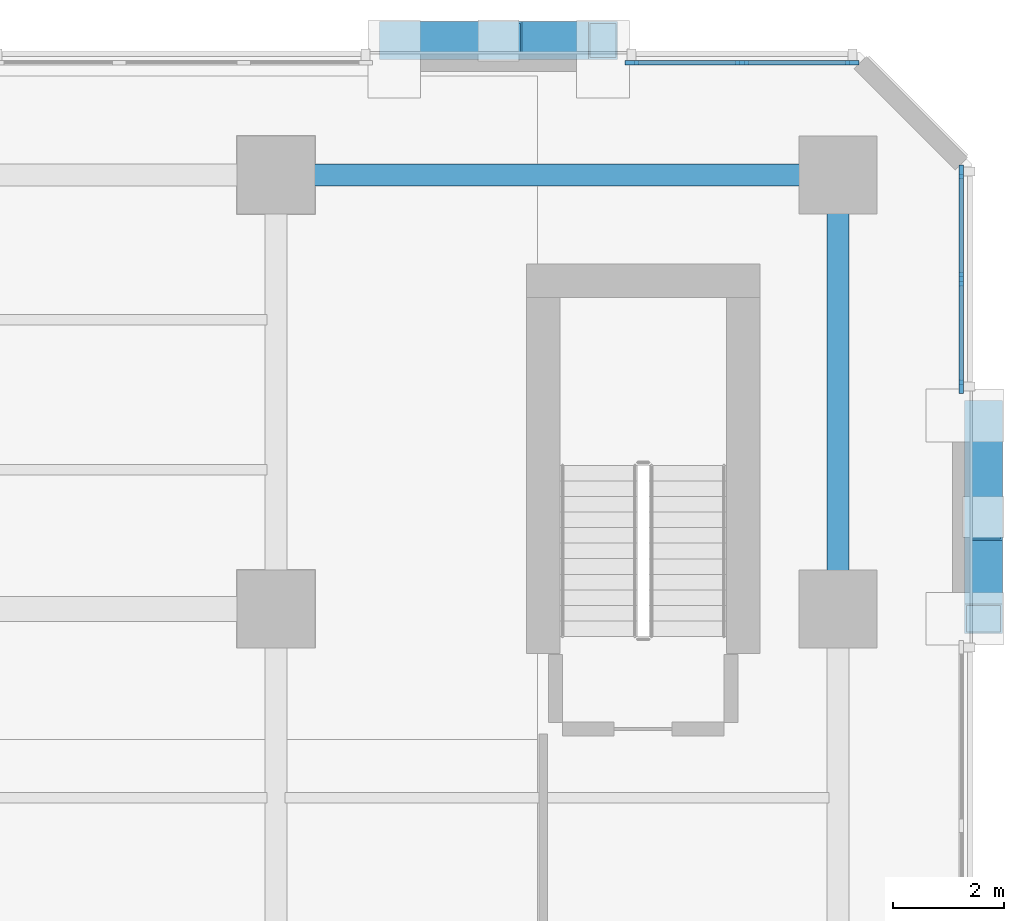
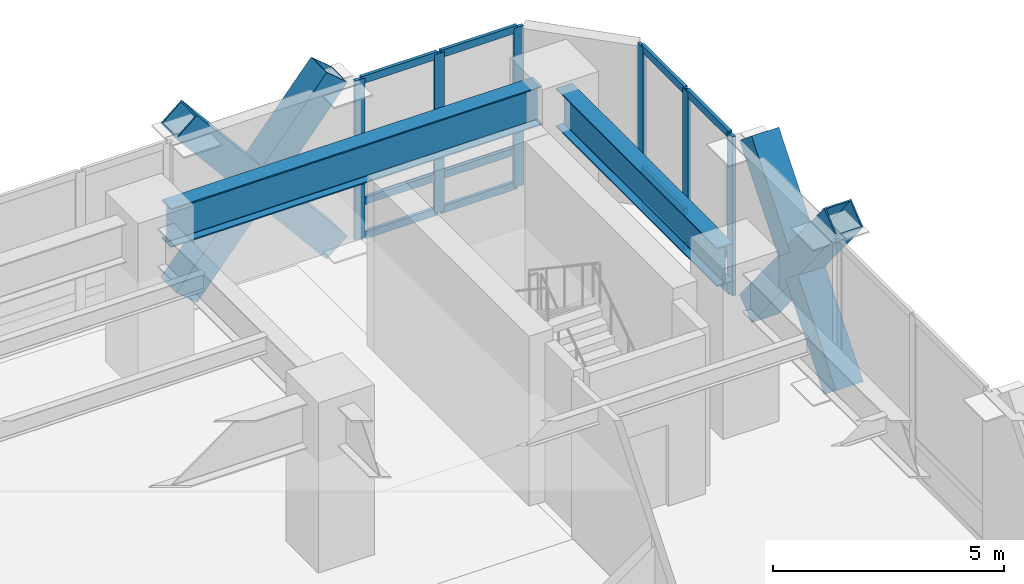
# One storey, part 13 of 30: 24 members, 2 beams, 2 elements without a shape of their own.
"""IFC4 building model written with IfcOpenShell, lengths in metres."""

from ifc_helpers import new_model, si_unit, direction, frame, origin, origin_2d, place, context, subcontext, project, spatial, rectangle, hollow_rectangle, i_section, extrude, material, material_profile, profile_set, type_object, element, aggregate, save


model = new_model("IFC4")

# Units and contexts
model_context = context("Model", 3, precision=1e-05, world=origin(), true_north=direction((0.0, 1.0)))
body_context = subcontext(model_context, "Body", "Model", "MODEL_VIEW")
ifc_project = project(units=[si_unit("LENGTHUNIT", "METRE"), si_unit("AREAUNIT", "SQUARE_METRE"), si_unit("VOLUMEUNIT", "CUBIC_METRE"), si_unit("PLANEANGLEUNIT", "RADIAN"), si_unit("MASSUNIT", "GRAM", prefix="KILO")], contexts=[model_context])

# Site, building, storey
site_placement = place(None, origin())
site = spatial("IfcSite", under=ifc_project, at=site_placement, CompositionType="ELEMENT")
building_placement = place(site_placement, origin())
building = spatial("IfcBuilding", under=site, at=building_placement, Name="Quenlor Broadcast Tower", CompositionType="ELEMENT")
storey_placement = place(building_placement, frame((0.0, 0.0, 9.5)))
storey = spatial("IfcBuildingStorey", under=building, at=storey_placement, Name="L02", CompositionType="ELEMENT", Elevation=9.5)

# Curtain wall, members
ifc_material_1 = material(Name="Architectural Terracotta and Low-E Glazing", Category="masonry")
curtain_wall_type = type_object("IfcCurtainWallType", Name="Station Concourse and Crown Terracotta Curtain Wall", PredefinedType="NOTDEFINED", material=ifc_material_1)
curtain_wall_1_placement = place(storey_placement, origin())
curtain_wall_1 = element("IfcCurtainWall", 1, at=curtain_wall_1_placement, inside=storey, type_object=curtain_wall_type, Name="L02 Curtain Wall CW6 (L02-N-FULL-G5)", PredefinedType="NOTDEFINED")
ifc_material_2 = material(Name="Aluminium 6063-T6", Category="aluminium")
ifc_material_profile_1 = material_profile(ifc_material_2, rectangle(XDim=0.08203125, YDim=0.239990234375, at=origin_2d()))
ifc_profile_set_1 = profile_set([ifc_material_profile_1], Name="Aluminium 6063-T6 MULL82x240")
member_type_1 = type_object("IfcMemberType", Name="CW6 Aluminium Mullion MULL_CW6", PredefinedType="MULLION", material=ifc_profile_set_1)
member_1_placement = place(storey_placement, frame((30.890380859375, 24.820068359375, 0.0), z_axis=(0.0, 0.0, 1.0), x_axis=(0.0, 1.0, 0.0)))
member_1 = element("IfcMember", 2, at=member_1_placement, type_object=member_type_1, Name="CW6 mullion 1", PredefinedType="MULLION", context=body_context, shape_type="SweptSolid", body=[
    extrude(rectangle(XDim=0.08203125, YDim=0.239990234375, at=origin_2d()), origin(), (0.0, 0.0, 1.0), 4.199951171875),
])
member_2_placement = place(storey_placement, frame((32.874755859375, 24.820068359375, 0.0), z_axis=(0.0, 0.0, 1.0), x_axis=(0.0, 1.0, 0.0)))
member_2 = element("IfcMember", 3, at=member_2_placement, type_object=member_type_1, Name="CW6 mullion 2", PredefinedType="MULLION", context=body_context, shape_type="SweptSolid", body=[
    extrude(rectangle(XDim=0.08203125, YDim=0.239990234375, at=origin_2d()), origin(), (0.0, 0.0, 1.0), 4.199951171875),
])
member_3_placement = place(storey_placement, frame((34.85888671875, 24.820068359375, 0.0), z_axis=(0.0, 0.0, 1.0), x_axis=(0.0, 1.0, 0.0)))
member_3 = element("IfcMember", 4, at=member_3_placement, type_object=member_type_1, Name="CW6 mullion 3", PredefinedType="MULLION", context=body_context, shape_type="SweptSolid", body=[
    extrude(rectangle(XDim=0.08203125, YDim=0.239990234375, at=origin_2d()), origin(), (0.0, 0.0, 1.0), 4.199951171875),
])

curtain_wall_2_placement = place(storey_placement, origin())
curtain_wall_2 = element("IfcCurtainWall", 5, at=curtain_wall_2_placement, inside=storey, type_object=curtain_wall_type, Name="L02 Curtain Wall CW6 (L02-E-FULL-G1)", PredefinedType="NOTDEFINED")
member_4_placement = place(storey_placement, frame((36.820068359375, 22.85888671875, 0.0), z_axis=(0.0, 0.0, 1.0), x_axis=(1.0, 0.0, 0.0)))
member_4 = element("IfcMember", 6, at=member_4_placement, type_object=member_type_1, Name="CW6 mullion 1", PredefinedType="MULLION", context=body_context, shape_type="SweptSolid", body=[
    extrude(rectangle(XDim=0.08203125, YDim=0.239990234375, at=origin_2d()), origin(), (0.0, 0.0, 1.0), 4.199951171875),
])
member_5_placement = place(storey_placement, frame((36.820068359375, 20.92626953125, 0.0), z_axis=(0.0, 0.0, 1.0), x_axis=(1.0, 0.0, 0.0)))
member_5 = element("IfcMember", 7, at=member_5_placement, type_object=member_type_1, Name="CW6 mullion 2", PredefinedType="MULLION", context=body_context, shape_type="SweptSolid", body=[
    extrude(rectangle(XDim=0.08203125, YDim=0.239990234375, at=origin_2d()), origin(), (0.0, 0.0, 1.0), 4.199951171875),
])
member_6_placement = place(storey_placement, frame((36.820068359375, 18.99365234375, 0.0), z_axis=(0.0, 0.0, 1.0), x_axis=(1.0, 0.0, 0.0)))
member_6 = element("IfcMember", 8, at=member_6_placement, type_object=member_type_1, Name="CW6 mullion 3", PredefinedType="MULLION", context=body_context, shape_type="SweptSolid", body=[
    extrude(rectangle(XDim=0.08203125, YDim=0.239990234375, at=origin_2d()), origin(), (0.0, 0.0, 1.0), 4.199951171875),
])

# Member
ifc_material_3 = material(Name="Aluminium 6063-T6", Category="aluminium")
ifc_material_profile_2 = material_profile(ifc_material_3, rectangle(XDim=0.08203125, YDim=0.195068359375, at=origin_2d()))
ifc_profile_set_2 = profile_set([ifc_material_profile_2], Name="Aluminium 6063-T6 TRAN82x195")
member_type_2 = type_object("IfcMemberType", Name="CW6 Aluminium Transom TRAN_CW6", PredefinedType="USERDEFINED", material=ifc_profile_set_2)
member_7_placement = place(storey_placement, frame((30.931396484375, 24.820068359375, 0.041015625), z_axis=(1.0, 0.0, 0.0), x_axis=(0.0, 1.0, 0.0)))
member_7 = element("IfcMember", 9, at=member_7_placement, type_object=member_type_2, Name="CW6 transom 1.1", ObjectType="TRANSOM", PredefinedType="USERDEFINED", context=body_context, shape_type="SweptSolid", body=[
    extrude(rectangle(XDim=0.08203125, YDim=0.195068359375, at=origin_2d()), origin(), (0.0, 0.0, 1.0), 1.90234375),
])

member_8_placement = place(storey_placement, frame((30.931396484375, 24.820068359375, 0.949951171875), z_axis=(1.0, 0.0, 0.0), x_axis=(0.0, 1.0, 0.0)))
member_8 = element("IfcMember", 10, at=member_8_placement, type_object=member_type_2, Name="CW6 transom 1.2", ObjectType="TRANSOM", PredefinedType="USERDEFINED", context=body_context, shape_type="SweptSolid", body=[
    extrude(rectangle(XDim=0.08203125, YDim=0.195068359375, at=origin_2d()), origin(), (0.0, 0.0, 1.0), 1.90234375),
])

member_9_placement = place(storey_placement, frame((30.931396484375, 24.820068359375, 4.158935546875), z_axis=(1.0, 0.0, 0.0), x_axis=(0.0, 1.0, 0.0)))
member_9 = element("IfcMember", 11, at=member_9_placement, type_object=member_type_2, Name="CW6 transom 1.3", ObjectType="TRANSOM", PredefinedType="USERDEFINED", context=body_context, shape_type="SweptSolid", body=[
    extrude(rectangle(XDim=0.08203125, YDim=0.195068359375, at=origin_2d()), origin(), (0.0, 0.0, 1.0), 1.90234375),
])

member_10_placement = place(storey_placement, frame((32.915771484375, 24.820068359375, 0.041015625), z_axis=(1.0, 0.0, 0.0), x_axis=(0.0, 1.0, 0.0)))
member_10 = element("IfcMember", 12, at=member_10_placement, type_object=member_type_2, Name="CW6 transom 2.1", ObjectType="TRANSOM", PredefinedType="USERDEFINED", context=body_context, shape_type="SweptSolid", body=[
    extrude(rectangle(XDim=0.08203125, YDim=0.195068359375, at=origin_2d()), origin(), (0.0, 0.0, 1.0), 1.90234375),
])

member_11_placement = place(storey_placement, frame((32.915771484375, 24.820068359375, 0.949951171875), z_axis=(1.0, 0.0, 0.0), x_axis=(0.0, 1.0, 0.0)))
member_11 = element("IfcMember", 13, at=member_11_placement, type_object=member_type_2, Name="CW6 transom 2.2", ObjectType="TRANSOM", PredefinedType="USERDEFINED", context=body_context, shape_type="SweptSolid", body=[
    extrude(rectangle(XDim=0.08203125, YDim=0.195068359375, at=origin_2d()), origin(), (0.0, 0.0, 1.0), 1.90234375),
])

member_12_placement = place(storey_placement, frame((32.915771484375, 24.820068359375, 4.158935546875), z_axis=(1.0, 0.0, 0.0), x_axis=(0.0, 1.0, 0.0)))
member_12 = element("IfcMember", 14, at=member_12_placement, type_object=member_type_2, Name="CW6 transom 2.3", ObjectType="TRANSOM", PredefinedType="USERDEFINED", context=body_context, shape_type="SweptSolid", body=[
    extrude(rectangle(XDim=0.08203125, YDim=0.195068359375, at=origin_2d()), origin(), (0.0, 0.0, 1.0), 1.90234375),
])

aggregate(curtain_wall_1, [member_1, member_2, member_3, member_7, member_8, member_9, member_10, member_11, member_12])

member_13_placement = place(storey_placement, frame((36.820068359375, 22.818115234375, 0.041015625), z_axis=(0.0, -1.0, 0.0), x_axis=(1.0, 0.0, 0.0)))
member_13 = element("IfcMember", 15, at=member_13_placement, type_object=member_type_2, Name="CW6 transom 1.1", ObjectType="TRANSOM", PredefinedType="USERDEFINED", context=body_context, shape_type="SweptSolid", body=[
    extrude(rectangle(XDim=0.08203125, YDim=0.195068359375, at=origin_2d()), origin(), (0.0, 0.0, 1.0), 1.850830078125),
])

member_14_placement = place(storey_placement, frame((36.820068359375, 22.818115234375, 0.949951171875), z_axis=(0.0, -1.0, 0.0), x_axis=(1.0, 0.0, 0.0)))
member_14 = element("IfcMember", 16, at=member_14_placement, type_object=member_type_2, Name="CW6 transom 1.2", ObjectType="TRANSOM", PredefinedType="USERDEFINED", context=body_context, shape_type="SweptSolid", body=[
    extrude(rectangle(XDim=0.08203125, YDim=0.195068359375, at=origin_2d()), origin(), (0.0, 0.0, 1.0), 1.850830078125),
])

member_15_placement = place(storey_placement, frame((36.820068359375, 22.818115234375, 4.158935546875), z_axis=(0.0, -1.0, 0.0), x_axis=(1.0, 0.0, 0.0)))
member_15 = element("IfcMember", 17, at=member_15_placement, type_object=member_type_2, Name="CW6 transom 1.3", ObjectType="TRANSOM", PredefinedType="USERDEFINED", context=body_context, shape_type="SweptSolid", body=[
    extrude(rectangle(XDim=0.08203125, YDim=0.195068359375, at=origin_2d()), origin(), (0.0, 0.0, 1.0), 1.850830078125),
])

member_16_placement = place(storey_placement, frame((36.820068359375, 20.88525390625, 0.041015625), z_axis=(0.0, -1.0, 0.0), x_axis=(1.0, 0.0, 0.0)))
member_16 = element("IfcMember", 18, at=member_16_placement, type_object=member_type_2, Name="CW6 transom 2.1", ObjectType="TRANSOM", PredefinedType="USERDEFINED", context=body_context, shape_type="SweptSolid", body=[
    extrude(rectangle(XDim=0.08203125, YDim=0.195068359375, at=origin_2d()), origin(), (0.0, 0.0, 1.0), 1.8505859375),
])

member_17_placement = place(storey_placement, frame((36.820068359375, 20.88525390625, 0.949951171875), z_axis=(0.0, -1.0, 0.0), x_axis=(1.0, 0.0, 0.0)))
member_17 = element("IfcMember", 19, at=member_17_placement, type_object=member_type_2, Name="CW6 transom 2.2", ObjectType="TRANSOM", PredefinedType="USERDEFINED", context=body_context, shape_type="SweptSolid", body=[
    extrude(rectangle(XDim=0.08203125, YDim=0.195068359375, at=origin_2d()), origin(), (0.0, 0.0, 1.0), 1.8505859375),
])

member_18_placement = place(storey_placement, frame((36.820068359375, 20.88525390625, 4.158935546875), z_axis=(0.0, -1.0, 0.0), x_axis=(1.0, 0.0, 0.0)))
member_18 = element("IfcMember", 20, at=member_18_placement, type_object=member_type_2, Name="CW6 transom 2.3", ObjectType="TRANSOM", PredefinedType="USERDEFINED", context=body_context, shape_type="SweptSolid", body=[
    extrude(rectangle(XDim=0.08203125, YDim=0.195068359375, at=origin_2d()), origin(), (0.0, 0.0, 1.0), 1.8505859375),
])

aggregate(curtain_wall_2, [member_4, member_5, member_6, member_13, member_14, member_15, member_16, member_17, member_18])

# Members
ifc_material_4 = material(Name="Steel S355", Category="steel")
ifc_material_profile_3 = material_profile(ifc_material_4, hollow_rectangle(XDim=0.679931640625, YDim=0.679931640625, WallThickness=0.034912109375, at=origin_2d()))
ifc_profile_set_3 = profile_set([ifc_material_profile_3], Name="Steel S355 RHS680x680x35")
member_type_3 = type_object("IfcMemberType", Name="Perimeter Diagonal Lattice Brace Z1 Steel S355 RHS680x35", PredefinedType="BRACE", material=ifc_profile_set_3)
member_19_placement = place(storey_placement, frame((26.622802734375, 25.215087890625, -0.1201171875), z_axis=(0.640626831312, 0.0, 0.767852370578), x_axis=(0.0, 1.0, 0.0)))
element("IfcMember", 21, at=member_19_placement, inside=storey, type_object=member_type_3, Name="L02 Podium Diamond Lattice N-P6XA", PredefinedType="BRACE", context=body_context, shape_type="SweptSolid", body=[
    extrude(hollow_rectangle(XDim=0.679931640625, YDim=0.679931640625, WallThickness=0.034912109375, at=origin_2d()), origin(), (0.0, 0.0, 1.0), 5.860595703125),
])
member_20_placement = place(storey_placement, frame((30.377197265625, 25.215087890625, -0.1201171875), z_axis=(-0.640614349103, 0.0, 0.767862784437), x_axis=(0.0, -1.0, 0.0)))
element("IfcMember", 22, at=member_20_placement, inside=storey, type_object=member_type_3, Name="L02 Podium Diamond Lattice N-P6XB1", PredefinedType="BRACE", context=body_context, shape_type="SweptSolid", body=[
    extrude(hollow_rectangle(XDim=0.679931640625, YDim=0.679931640625, WallThickness=0.034912109375, at=origin_2d()), origin(), (0.0, 0.0, 1.0), 2.680419921875),
])
member_21_placement = place(storey_placement, frame((28.33984375, 25.215087890625, 2.322021484375), z_axis=(-0.640659157162, 0.0, 0.767825399648), x_axis=(0.0, -1.0, 0.0)))
element("IfcMember", 23, at=member_21_placement, inside=storey, type_object=member_type_3, Name="L02 Podium Diamond Lattice N-P6XB2", PredefinedType="BRACE", context=body_context, shape_type="SweptSolid", body=[
    extrude(hollow_rectangle(XDim=0.679931640625, YDim=0.679931640625, WallThickness=0.034912109375, at=origin_2d()), origin(), (0.0, 0.0, 1.0), 2.68017578125),
])
member_22_placement = place(storey_placement, frame((37.215087890625, 18.477783203125, -0.1201171875), z_axis=(0.0, -0.630516526394, 0.776175824117), x_axis=(1.0, 0.0, 0.0)))
element("IfcMember", 24, at=member_22_placement, inside=storey, type_object=member_type_3, Name="L02 Podium Diamond Lattice E-P1XA", PredefinedType="BRACE", context=body_context, shape_type="SweptSolid", body=[
    extrude(hollow_rectangle(XDim=0.679931640625, YDim=0.679931640625, WallThickness=0.034912109375, at=origin_2d()), origin(), (0.0, 0.0, 1.0), 5.797607421875),
])
for number, where, z_axis, x_axis, name in (
    (25, (37.215087890625, 14.822265625, -0.1201171875), (0.0, 0.630488529208, 0.776198566436), (-1.0, 0.0, 0.0), "L02 Podium Diamond Lattice E-P1XB1"),
    (26, (37.215087890625, 16.8076171875, 2.323974609375), (0.0, 0.630533634598, 0.776161926173), (-1.0, 0.0, 0.0), "L02 Podium Diamond Lattice E-P1XB2"),
):
    element("IfcMember", number, at=place(storey_placement, frame(where, z_axis=z_axis, x_axis=x_axis)), inside=storey, type_object=member_type_3, Name=name, PredefinedType="BRACE", context=body_context, shape_type="SweptSolid", body=[
        extrude(hollow_rectangle(XDim=0.679931640625, YDim=0.679931640625, WallThickness=0.034912109375, at=origin_2d()), origin(), (0.0, 0.0, 1.0), 2.64892578125),
    ])

# Beams
ifc_material_5 = material(Name="Steel S355", Category="steel")
ifc_material_profile_4 = material_profile(ifc_material_5, i_section(OverallWidth=0.39990234375, OverallDepth=1.02392578125, WebThickness=0.01611328125, FlangeThickness=0.031982421875, FilletRadius=0.01611328125, at=origin_2d()))
ifc_profile_set_4 = profile_set([ifc_material_profile_4], Name="Steel S355 1000WB322")
beam_type = type_object("IfcBeamType", Name="Podium Concourse Girder Steel S355 1000WB322", PredefinedType="BEAM", material=ifc_profile_set_4)
beam_1_placement = place(storey_placement, frame((24.919921875, 22.800048828125, 3.68798828125), z_axis=(1.0, 0.0, 0.0), x_axis=(0.0, 1.0, 0.0)))
element("IfcBeam", 27, at=beam_1_placement, inside=storey, type_object=beam_type, Name="L02 Podium Girder 33", PredefinedType="BEAM", context=body_context, shape_type="SweptSolid", body=[
    extrude(i_section(OverallWidth=0.39990234375, OverallDepth=1.02392578125, WebThickness=0.01611328125, FlangeThickness=0.031982421875, FilletRadius=0.01611328125, at=origin_2d()), origin(), (0.0, 0.0, 1.0), 9.260009765625),
])
beam_2_placement = place(storey_placement, frame((34.60009765625, 15.419921875, 3.68798828125), z_axis=(0.0, 1.0, 0.0), x_axis=(-1.0, 0.0, 0.0)))
element("IfcBeam", 28, at=beam_2_placement, inside=storey, type_object=beam_type, Name="L02 Podium Girder 53", PredefinedType="BEAM", context=body_context, shape_type="SweptSolid", body=[
    extrude(i_section(OverallWidth=0.39990234375, OverallDepth=1.02392578125, WebThickness=0.01611328125, FlangeThickness=0.031982421875, FilletRadius=0.01611328125, at=origin_2d()), origin(), (0.0, 0.0, 1.0), 6.9599609375),
])

save(model, "model.ifc")
